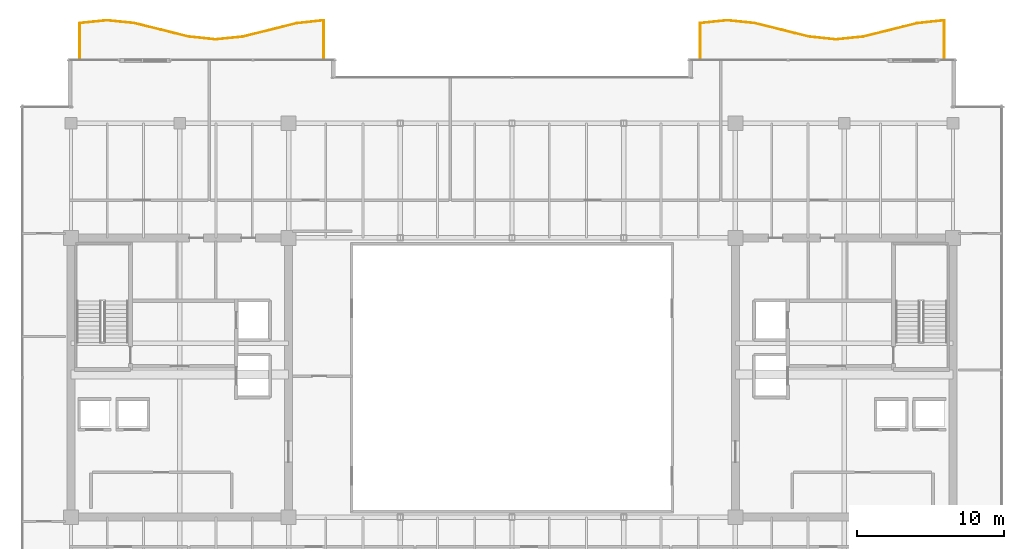
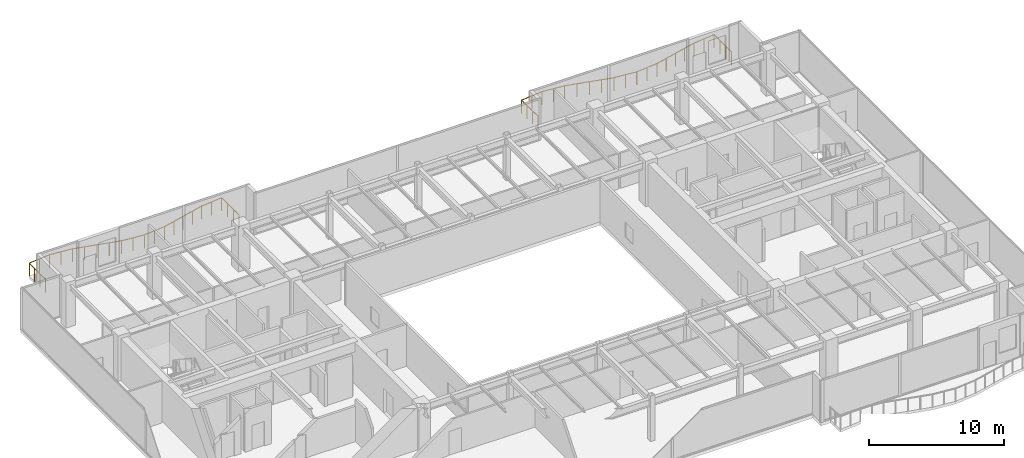
# One storey, part 34 of 34: 2 railings.
"""IFC4 building model written with IfcOpenShell, lengths in metres."""

from ifc_helpers import new_model, si_unit, direction, frame, origin, origin_2d, place, context, subcontext, project, spatial, circle, extrude, source, transform, mapped, material, type_object, type_shapes, element, save


model = new_model("IFC4")

# Units and contexts
model_context = context("Model", 3, precision=1e-05, world=origin(), true_north=direction((0.0, 1.0)))
body_context = subcontext(model_context, "Body", "Model", "MODEL_VIEW")
ifc_project = project(units=[si_unit("LENGTHUNIT", "METRE"), si_unit("AREAUNIT", "SQUARE_METRE"), si_unit("VOLUMEUNIT", "CUBIC_METRE"), si_unit("PLANEANGLEUNIT", "RADIAN"), si_unit("MASSUNIT", "GRAM", prefix="KILO")], contexts=[model_context])

# Site, building, storey
site_placement = place(None, origin())
site = spatial("IfcSite", under=ifc_project, at=site_placement, CompositionType="ELEMENT")
building_placement = place(site_placement, origin())
building = spatial("IfcBuilding", under=site, at=building_placement, Name="Haelvirn Gate Laboratories", CompositionType="ELEMENT")
storey_placement = place(building_placement, frame((0.0, 0.0, 246.5)))
storey = spatial("IfcBuildingStorey", under=building, at=storey_placement, Name="L59", CompositionType="ELEMENT", Elevation=246.5)

# Railings
ifc_material = material(Name="Laminated safety glass & bronze stainless steel 316L", Category="steel")
railing_type = type_object("IfcRailingType", Name="RLG-BAL-1200", PredefinedType="BALUSTRADE", material=ifc_material)
shared_shape_1 = source(origin(), body_context, "Body", "SweptSolid", [
    extrude(circle(Radius=0.02392578125, at=origin_2d()), frame((0.0, 0.0, 1.17578125), z_axis=(0.0, 1.0, 0.0), x_axis=(-1.0, 0.0, 0.0)), (0.0, 0.0, 1.0), 2.40966796875),
    extrude(circle(Radius=0.02392578125, at=origin_2d()), frame((0.0, 2.40966796875, 1.17578125), z_axis=(0.994712684442, 0.102697007792, 0.0), x_axis=(-0.102697007792, 0.994712684442, 0.0)), (0.0, 0.0, 1.0), 1.854248046875),
    extrude(circle(Radius=0.02392578125, at=origin_2d()), frame((1.844482421875, 2.60009765625, 1.17578125), z_axis=(0.994833056912, -0.101524326523, 0.0), x_axis=(0.101524326523, 0.994833056912, 0.0)), (0.0, 0.0, 1.0), 1.85400390625),
    extrude(circle(Radius=0.02392578125, at=origin_2d()), frame((3.68896484375, 2.411865234375, 1.17578125), z_axis=(0.970609297904, -0.240660738016, 0.0), x_axis=(0.240660738016, 0.970609297904, 0.0)), (0.0, 0.0, 1.0), 1.900146484375),
    extrude(circle(Radius=0.02392578125, at=origin_2d()), frame((5.533203125, 1.95458984375, 1.17578125), z_axis=(0.970285869245, -0.24196142656, 0.0), x_axis=(0.24196142656, 0.970285869245, 0.0)), (0.0, 0.0, 1.0), 1.90087890625),
    extrude(circle(Radius=0.02392578125, at=origin_2d()), frame((7.377685546875, 1.49462890625, 1.17578125), z_axis=(0.99448162522, -0.104910900768, 0.0), x_axis=(0.104910900768, 0.99448162522, 0.0)), (0.0, 0.0, 1.0), 1.854736328125),
    extrude(circle(Radius=0.02392578125, at=origin_2d()), frame((9.22216796875, 1.300048828125, 1.17578125), z_axis=(0.99506973831, 0.099177698603, 0.0), x_axis=(-0.099177698603, 0.99506973831, 0.0)), (0.0, 0.0, 1.0), 1.853515625),
    extrude(circle(Radius=0.02392578125, at=origin_2d()), frame((11.066650390625, 1.48388671875, 1.17578125), z_axis=(0.970856364613, 0.239662093978, 0.0), x_axis=(-0.239662093978, 0.970856364613, 0.0)), (0.0, 0.0, 1.0), 1.89990234375),
    extrude(circle(Radius=0.02392578125, at=origin_2d()), frame((12.9111328125, 1.939208984375, 1.17578125), z_axis=(0.970074484695, 0.242807524892, 0.0), x_axis=(-0.242807524892, 0.970074484695, 0.0)), (0.0, 0.0, 1.0), 1.9013671875),
    extrude(circle(Radius=0.02392578125, at=origin_2d()), frame((14.755615234375, 2.40087890625, 1.17578125), z_axis=(0.994231725841, 0.107253323171, 0.0), x_axis=(-0.107253323171, 0.994231725841, 0.0)), (0.0, 0.0, 1.0), 1.855224609375),
    extrude(circle(Radius=0.02392578125, at=origin_2d()), frame((16.60009765625, 2.599853515625, 1.17578125), z_axis=(0.0, -1.0, 0.0), x_axis=(1.0, 0.0, 0.0)), (0.0, 0.0, 1.0), 2.599853515625),
    extrude(circle(Radius=0.02099609375, at=origin_2d()), origin(), (0.0, 0.0, 1.0), 1.15185546875),
    extrude(circle(Radius=0.02099609375, at=origin_2d()), frame((0.0, 0.80322265625, 0.0)), (0.0, 0.0, 1.0), 1.15185546875),
    extrude(circle(Radius=0.02099609375, at=origin_2d()), frame((0.0, 1.6064453125, 0.0)), (0.0, 0.0, 1.0), 1.15185546875),
    extrude(circle(Radius=0.02099609375, at=origin_2d()), frame((0.0, 2.40966796875, 0.0)), (0.0, 0.0, 1.0), 1.15185546875),
    extrude(circle(Radius=0.02099609375, at=origin_2d()), frame((0.92236328125, 2.5048828125, 0.0)), (0.0, 0.0, 1.0), 1.15185546875),
    extrude(circle(Radius=0.02099609375, at=origin_2d()), frame((1.844482421875, 2.60009765625, 0.0)), (0.0, 0.0, 1.0), 1.15185546875),
    extrude(circle(Radius=0.02099609375, at=origin_2d()), frame((2.7666015625, 2.505859375, 0.0)), (0.0, 0.0, 1.0), 1.15185546875),
    extrude(circle(Radius=0.02099609375, at=origin_2d()), frame((3.68896484375, 2.411865234375, 0.0)), (0.0, 0.0, 1.0), 1.15185546875),
    extrude(circle(Radius=0.02099609375, at=origin_2d()), frame((4.611083984375, 2.18310546875, 0.0)), (0.0, 0.0, 1.0), 1.15185546875),
    extrude(circle(Radius=0.02099609375, at=origin_2d()), frame((5.533203125, 1.95458984375, 0.0)), (0.0, 0.0, 1.0), 1.15185546875),
    extrude(circle(Radius=0.02099609375, at=origin_2d()), frame((6.45556640625, 1.724609375, 0.0)), (0.0, 0.0, 1.0), 1.15185546875),
    extrude(circle(Radius=0.02099609375, at=origin_2d()), frame((7.377685546875, 1.49462890625, 0.0)), (0.0, 0.0, 1.0), 1.15185546875),
    extrude(circle(Radius=0.02099609375, at=origin_2d()), frame((8.2998046875, 1.3974609375, 0.0)), (0.0, 0.0, 1.0), 1.15185546875),
    extrude(circle(Radius=0.02099609375, at=origin_2d()), frame((9.22216796875, 1.300048828125, 0.0)), (0.0, 0.0, 1.0), 1.15185546875),
    extrude(circle(Radius=0.02099609375, at=origin_2d()), frame((10.14453125, 1.39208984375, 0.0)), (0.0, 0.0, 1.0), 1.15185546875),
    extrude(circle(Radius=0.02099609375, at=origin_2d()), frame((11.066650390625, 1.48388671875, 0.0)), (0.0, 0.0, 1.0), 1.15185546875),
    extrude(circle(Radius=0.02099609375, at=origin_2d()), frame((11.98876953125, 1.71142578125, 0.0)), (0.0, 0.0, 1.0), 1.15185546875),
    extrude(circle(Radius=0.02099609375, at=origin_2d()), frame((12.9111328125, 1.939208984375, 0.0)), (0.0, 0.0, 1.0), 1.15185546875),
    extrude(circle(Radius=0.02099609375, at=origin_2d()), frame((13.83349609375, 2.169921875, 0.0)), (0.0, 0.0, 1.0), 1.15185546875),
    extrude(circle(Radius=0.02099609375, at=origin_2d()), frame((14.755615234375, 2.40087890625, 0.0)), (0.0, 0.0, 1.0), 1.15185546875),
    extrude(circle(Radius=0.02099609375, at=origin_2d()), frame((15.677734375, 2.50048828125, 0.0)), (0.0, 0.0, 1.0), 1.15185546875),
    extrude(circle(Radius=0.02099609375, at=origin_2d()), frame((16.60009765625, 2.599853515625, 0.0)), (0.0, 0.0, 1.0), 1.15185546875),
    extrude(circle(Radius=0.02099609375, at=origin_2d()), frame((16.60009765625, 1.733154296875, 0.0)), (0.0, 0.0, 1.0), 1.15185546875),
    extrude(circle(Radius=0.02099609375, at=origin_2d()), frame((16.60009765625, 0.86669921875, 0.0)), (0.0, 0.0, 1.0), 1.15185546875),
    extrude(circle(Radius=0.02099609375, at=origin_2d()), frame((16.60009765625, 0.0, 0.0)), (0.0, 0.0, 1.0), 1.15185546875),
])
railing_1_placement = place(storey_placement, frame((8.0, 46.0, 0.0)))
element("IfcRailing", 1, at=railing_1_placement, inside=storey, type_object=railing_type, Name="L59 Wave Balcony Balustrade WL-N", PredefinedType="BALUSTRADE", context=body_context, shape_type="MappedRepresentation", body=[
    mapped(shared_shape_1, transform((0.0, 0.0, 0.0), scale=1.0)),
])
shared_shape_2 = source(origin(), body_context, "Body", "SweptSolid", [
    extrude(circle(Radius=0.02392578125, at=origin_2d()), frame((0.0, 0.0, 1.17578125), z_axis=(0.0, 1.0, 0.0), x_axis=(-1.0, 0.0, 0.0)), (0.0, 0.0, 1.0), 2.40966796875),
    extrude(circle(Radius=0.02392578125, at=origin_2d()), frame((0.0, 2.40966796875, 1.17578125), z_axis=(0.994712684442, 0.102697007792, 0.0), x_axis=(-0.102697007792, 0.994712684442, 0.0)), (0.0, 0.0, 1.0), 1.854248046875),
    extrude(circle(Radius=0.02392578125, at=origin_2d()), frame((1.844482421875, 2.60009765625, 1.17578125), z_axis=(0.994833056912, -0.101524326523, 0.0), x_axis=(0.101524326523, 0.994833056912, 0.0)), (0.0, 0.0, 1.0), 1.85400390625),
    extrude(circle(Radius=0.02392578125, at=origin_2d()), frame((3.68896484375, 2.411865234375, 1.17578125), z_axis=(0.970616738311, -0.240630728108, 0.0), x_axis=(0.240630728108, 0.970616738311, 0.0)), (0.0, 0.0, 1.0), 1.900390625),
    extrude(circle(Radius=0.02392578125, at=origin_2d()), frame((5.533447265625, 1.95458984375, 1.17578125), z_axis=(0.970285869245, -0.24196142656, 0.0), x_axis=(0.24196142656, 0.970285869245, 0.0)), (0.0, 0.0, 1.0), 1.90087890625),
    extrude(circle(Radius=0.02392578125, at=origin_2d()), frame((7.3779296875, 1.49462890625, 1.17578125), z_axis=(0.994480176152, -0.104924636006, 0.0), x_axis=(0.104924636006, 0.994480176152, 0.0)), (0.0, 0.0, 1.0), 1.8544921875),
    extrude(circle(Radius=0.02392578125, at=origin_2d()), frame((9.22216796875, 1.300048828125, 1.17578125), z_axis=(0.99506973831, 0.099177698603, 0.0), x_axis=(-0.099177698603, 0.99506973831, 0.0)), (0.0, 0.0, 1.0), 1.853515625),
    extrude(circle(Radius=0.02392578125, at=origin_2d()), frame((11.066650390625, 1.48388671875, 1.17578125), z_axis=(0.970856364613, 0.239662093978, 0.0), x_axis=(-0.239662093978, 0.970856364613, 0.0)), (0.0, 0.0, 1.0), 1.89990234375),
    extrude(circle(Radius=0.02392578125, at=origin_2d()), frame((12.9111328125, 1.939208984375, 1.17578125), z_axis=(0.970074484695, 0.242807524892, 0.0), x_axis=(-0.242807524892, 0.970074484695, 0.0)), (0.0, 0.0, 1.0), 1.9013671875),
    extrude(circle(Radius=0.02392578125, at=origin_2d()), frame((14.755615234375, 2.40087890625, 1.17578125), z_axis=(0.994231725841, 0.107253323171, 0.0), x_axis=(-0.107253323171, 0.994231725841, 0.0)), (0.0, 0.0, 1.0), 1.855224609375),
    extrude(circle(Radius=0.02392578125, at=origin_2d()), frame((16.60009765625, 2.599853515625, 1.17578125), z_axis=(0.0, -1.0, 0.0), x_axis=(1.0, 0.0, 0.0)), (0.0, 0.0, 1.0), 2.599853515625),
    extrude(circle(Radius=0.02099609375, at=origin_2d()), origin(), (0.0, 0.0, 1.0), 1.15185546875),
    extrude(circle(Radius=0.02099609375, at=origin_2d()), frame((0.0, 0.80322265625, 0.0)), (0.0, 0.0, 1.0), 1.15185546875),
    extrude(circle(Radius=0.02099609375, at=origin_2d()), frame((0.0, 1.6064453125, 0.0)), (0.0, 0.0, 1.0), 1.15185546875),
    extrude(circle(Radius=0.02099609375, at=origin_2d()), frame((0.0, 2.40966796875, 0.0)), (0.0, 0.0, 1.0), 1.15185546875),
    extrude(circle(Radius=0.02099609375, at=origin_2d()), frame((0.92236328125, 2.5048828125, 0.0)), (0.0, 0.0, 1.0), 1.15185546875),
    extrude(circle(Radius=0.02099609375, at=origin_2d()), frame((1.844482421875, 2.60009765625, 0.0)), (0.0, 0.0, 1.0), 1.15185546875),
    extrude(circle(Radius=0.02099609375, at=origin_2d()), frame((2.7666015625, 2.505859375, 0.0)), (0.0, 0.0, 1.0), 1.15185546875),
    extrude(circle(Radius=0.02099609375, at=origin_2d()), frame((3.68896484375, 2.411865234375, 0.0)), (0.0, 0.0, 1.0), 1.15185546875),
    extrude(circle(Radius=0.02099609375, at=origin_2d()), frame((4.611328125, 2.18310546875, 0.0)), (0.0, 0.0, 1.0), 1.15185546875),
    extrude(circle(Radius=0.02099609375, at=origin_2d()), frame((5.533447265625, 1.95458984375, 0.0)), (0.0, 0.0, 1.0), 1.15185546875),
    extrude(circle(Radius=0.02099609375, at=origin_2d()), frame((6.45556640625, 1.724609375, 0.0)), (0.0, 0.0, 1.0), 1.15185546875),
    extrude(circle(Radius=0.02099609375, at=origin_2d()), frame((7.3779296875, 1.49462890625, 0.0)), (0.0, 0.0, 1.0), 1.15185546875),
    extrude(circle(Radius=0.02099609375, at=origin_2d()), frame((8.300048828125, 1.3974609375, 0.0)), (0.0, 0.0, 1.0), 1.15185546875),
    extrude(circle(Radius=0.02099609375, at=origin_2d()), frame((9.22216796875, 1.300048828125, 0.0)), (0.0, 0.0, 1.0), 1.15185546875),
    extrude(circle(Radius=0.02099609375, at=origin_2d()), frame((10.14453125, 1.39208984375, 0.0)), (0.0, 0.0, 1.0), 1.15185546875),
    extrude(circle(Radius=0.02099609375, at=origin_2d()), frame((11.066650390625, 1.48388671875, 0.0)), (0.0, 0.0, 1.0), 1.15185546875),
    extrude(circle(Radius=0.02099609375, at=origin_2d()), frame((11.98876953125, 1.71142578125, 0.0)), (0.0, 0.0, 1.0), 1.15185546875),
    extrude(circle(Radius=0.02099609375, at=origin_2d()), frame((12.9111328125, 1.939208984375, 0.0)), (0.0, 0.0, 1.0), 1.15185546875),
    extrude(circle(Radius=0.02099609375, at=origin_2d()), frame((13.83349609375, 2.169921875, 0.0)), (0.0, 0.0, 1.0), 1.15185546875),
    extrude(circle(Radius=0.02099609375, at=origin_2d()), frame((14.755615234375, 2.40087890625, 0.0)), (0.0, 0.0, 1.0), 1.15185546875),
    extrude(circle(Radius=0.02099609375, at=origin_2d()), frame((15.677734375, 2.50048828125, 0.0)), (0.0, 0.0, 1.0), 1.15185546875),
    extrude(circle(Radius=0.02099609375, at=origin_2d()), frame((16.60009765625, 2.599853515625, 0.0)), (0.0, 0.0, 1.0), 1.15185546875),
    extrude(circle(Radius=0.02099609375, at=origin_2d()), frame((16.60009765625, 1.733154296875, 0.0)), (0.0, 0.0, 1.0), 1.15185546875),
    extrude(circle(Radius=0.02099609375, at=origin_2d()), frame((16.60009765625, 0.86669921875, 0.0)), (0.0, 0.0, 1.0), 1.15185546875),
    extrude(circle(Radius=0.02099609375, at=origin_2d()), frame((16.60009765625, 0.0, 0.0)), (0.0, 0.0, 1.0), 1.15185546875),
])
type_shapes(railing_type, [shared_shape_1, shared_shape_2])
railing_2_placement = place(storey_placement, frame((50.199951171875, 46.0, 0.0)))
element("IfcRailing", 2, at=railing_2_placement, inside=storey, type_object=railing_type, Name="L59 Wave Balcony Balustrade EL-N", PredefinedType="BALUSTRADE", context=body_context, shape_type="MappedRepresentation", body=[
    mapped(shared_shape_2, transform((0.0, 0.0, 0.0), scale=1.0)),
])

save(model, "model.ifc")
